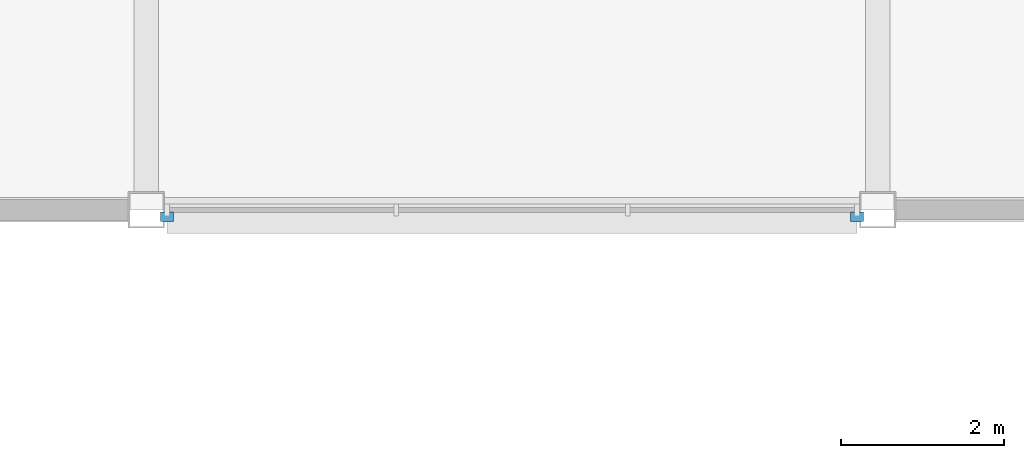
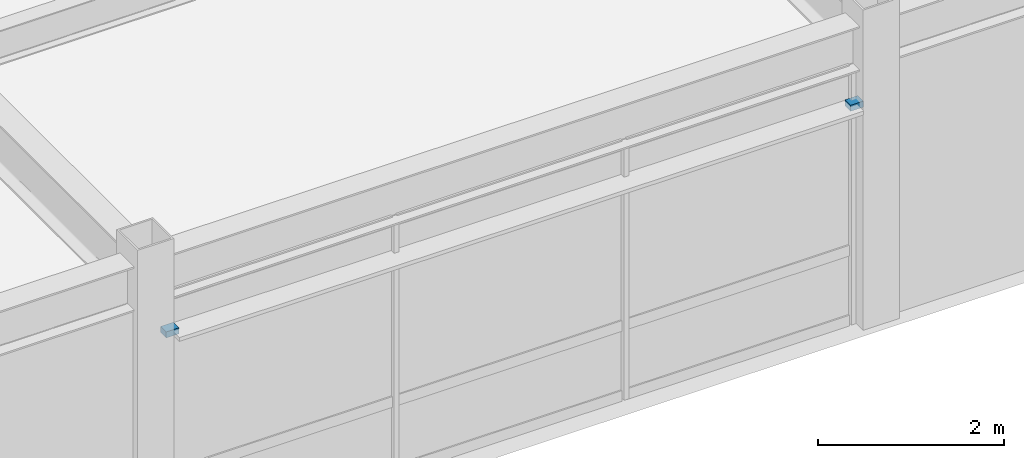
# One storey, part 84 of 105: 2 discrete accessories.
"""IFC4 building model written with IfcOpenShell, lengths in metres."""

from ifc_helpers import new_model, si_unit, direction, frame, origin, origin_2d, place, context, subcontext, project, spatial, rectangle, extrude, material, type_object, element, save


model = new_model("IFC4")

# Units and contexts
model_context = context("Model", 3, precision=1e-05, world=origin(), true_north=direction((0.0, 1.0)))
body_context = subcontext(model_context, "Body", "Model", "MODEL_VIEW")
ifc_project = project(units=[si_unit("LENGTHUNIT", "METRE"), si_unit("AREAUNIT", "SQUARE_METRE"), si_unit("VOLUMEUNIT", "CUBIC_METRE"), si_unit("PLANEANGLEUNIT", "RADIAN"), si_unit("MASSUNIT", "GRAM", prefix="KILO")], contexts=[model_context])

# Site, building, storey
site_placement = place(None, origin())
site = spatial("IfcSite", under=ifc_project, at=site_placement, CompositionType="ELEMENT")
building_placement = place(site_placement, origin())
building = spatial("IfcBuilding", under=site, at=building_placement, Name="Suzunagisa Mobility Hub", CompositionType="ELEMENT")
storey_placement = place(building_placement, frame((0.0, 0.0, 5.10009765625)))
storey = spatial("IfcBuildingStorey", under=building, at=storey_placement, Name="L01", CompositionType="ELEMENT", Elevation=5.10009765625)

# Discrete accessories
ifc_material = material(Name="Stainless Steel SUS316", Category="metal")
discrete_accessory_type = type_object("IfcDiscreteAccessoryType", Name="Stainless Sunshade Outrigger Bracket BRK-01", PredefinedType="BRACKET", material=ifc_material)
for number, where, z_axis, x_axis, name in (
    (1, (108.2548828125, 79.9150390625, 2.86181640625), (0.0, 0.0, 1.0), (1.0, 0.0, 0.0), "Sunshade Outrigger Bracket BRK-20.1"),
    (2, (116.7451171875, 79.9150390625, 2.86181640625), (0.0, 0.0, 1.0), (1.0, 0.0, 0.0), "Sunshade Outrigger Bracket BRK-20.2"),
):
    element("IfcDiscreteAccessory", number, at=place(storey_placement, frame(where, z_axis=z_axis, x_axis=x_axis)), inside=storey, type_object=discrete_accessory_type, Name=name, PredefinedType="BRACKET", context=body_context, shape_type="SweptSolid", body=[
        extrude(rectangle(XDim=0.159912109375, YDim=0.1201171875, at=origin_2d()), origin(), (0.0, 0.0, 1.0), 0.080078125),
    ])

save(model, "model.ifc")
